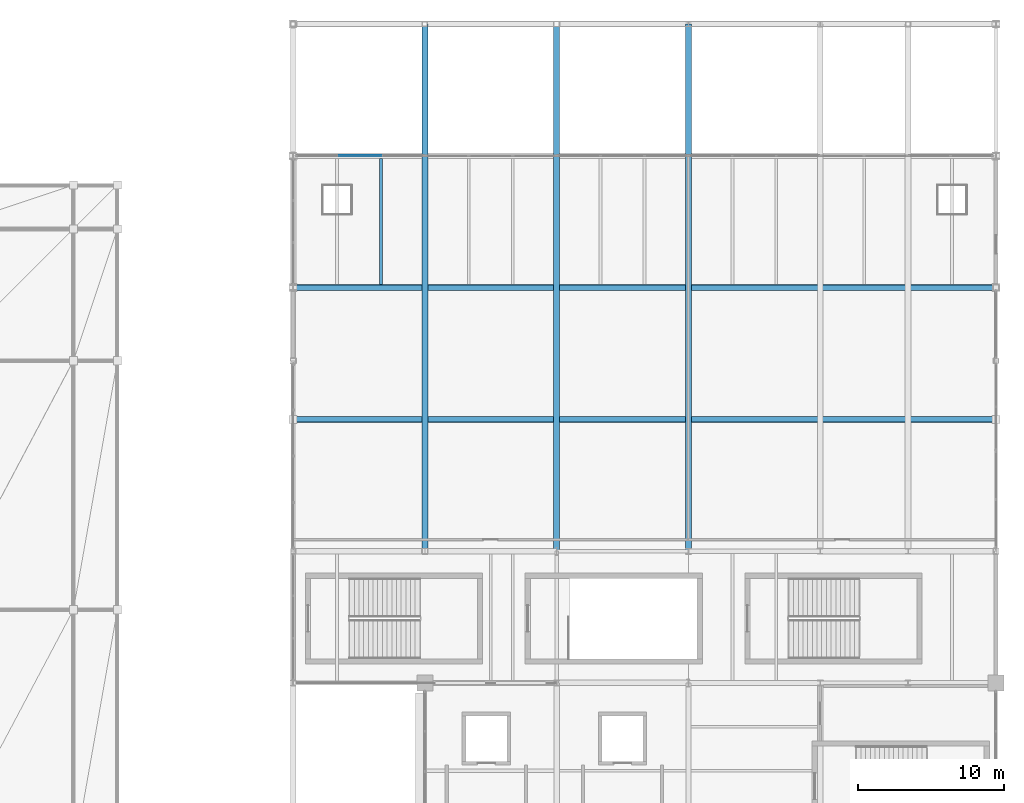
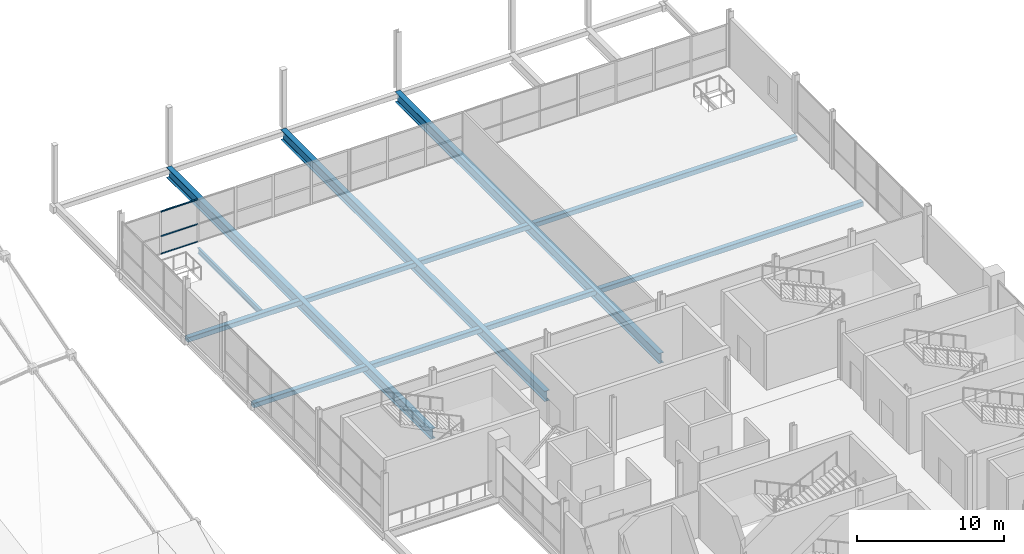
# One storey, part 31 of 69: 6 beams, 3 members, 1 element without a shape of its own.
"""IFC4 building model written with IfcOpenShell, lengths in metres."""

import ifcopenshell
import ifcopenshell.guid

model = None  # the IFC model being written
_history = None  # IfcOwnerHistory: only IFC2X3 demands one
_inside = {}  # id of a spatial element -> (the spatial element, [elements in it])
_under = {}  # id of a project, library or spatial element -> (it, [spatial elements below it])
_declared = {}  # id of a project -> (the project, [libraries it declares])
_typed = {}  # id of a type object -> (the type object, [elements of that type])
_made_of = {}  # id of a material, layer set ... -> (it, [elements and type objects made of it])


def new_model(schema):
    """Start an empty IFC model of exactly this schema.

    Asked for "IFC4X3", IfcOpenShell would pick the latest addendum, in which some entities
    have other attributes; the version numbers below select the first issue.
    IFC2X3 requires an IfcOwnerHistory on every rooted entity: one is made here for all.
    """
    global model, _history
    if schema == "IFC4X3":
        model = ifcopenshell.file(schema_version=(4, 3, 0, 0))
    else:
        model = ifcopenshell.file(schema=schema)
    _inside.clear()
    _under.clear()
    _declared.clear()
    _typed.clear()
    _made_of.clear()
    _history = None
    if model.schema == "IFC2X3":
        org = make("IfcOrganization", Name="unknown")
        user = make(
            "IfcPersonAndOrganization",
            ThePerson=make("IfcPerson", FamilyName="unknown"),
            TheOrganization=org,
        )
        app = make(
            "IfcApplication",
            ApplicationDeveloper=org,
            Version="unknown",
            ApplicationFullName="unknown",
            ApplicationIdentifier="unknown",
        )
        _history = make(
            "IfcOwnerHistory",
            OwningUser=user,
            OwningApplication=app,
            ChangeAction="ADDED",
            CreationDate=0,
        )
    return model


def make(cls, **values):
    """One entity of the class cls with the attributes given. An attribute that is None is left unset."""
    return model.create_entity(
        cls, **{name: value for name, value in values.items() if value is not None}
    )


def rooted(cls, **values):
    """An entity with a GlobalId (a new one), such as an element, a storey or a relation."""
    return make(cls, GlobalId=ifcopenshell.guid.new(), OwnerHistory=_history, **values)


def si_unit(unit_type, name, prefix=None):
    """IfcSIUnit, for example si_unit("LENGTHUNIT", "METRE", prefix="MILLI")."""
    return make("IfcSIUnit", UnitType=unit_type, Prefix=prefix, Name=name)


def assignment(units):
    """IfcUnitAssignment: the units of a project."""
    return None if units is None else make("IfcUnitAssignment", Units=units)


def point(xyz):
    """IfcCartesianPoint."""
    return None if xyz is None else make("IfcCartesianPoint", Coordinates=xyz)


def direction(xyz):
    """IfcDirection."""
    return None if xyz is None else make("IfcDirection", DirectionRatios=xyz)


def frame(location, z_axis=None, x_axis=None):
    """IfcAxis2Placement3D, a coordinate frame: its origin and axes. An axis left out is left unset."""
    return make(
        "IfcAxis2Placement3D",
        Location=point(location),
        Axis=direction(z_axis),
        RefDirection=direction(x_axis),
    )


def frame_2d(location, x_axis=None):
    """IfcAxis2Placement2D, a coordinate frame in the plane: its origin and x axis."""
    return make(
        "IfcAxis2Placement2D", Location=point(location), RefDirection=direction(x_axis)
    )


def origin():
    """The frame at (0, 0, 0) with its axes left unset."""
    return frame((0.0, 0.0, 0.0))


def origin_2d():
    """The frame at (0, 0) in the plane with its x axis left unset."""
    return frame_2d((0.0, 0.0))


def place(relative_to, where):
    """IfcLocalPlacement: puts the frame where relative to a parent placement (None: the world)."""
    return make(
        "IfcLocalPlacement", PlacementRelTo=relative_to, RelativePlacement=where
    )


def context(
    kind, dimensions, precision=None, world=None, true_north=None, identifier=None
):
    """IfcGeometricRepresentationContext, for example the 3D "Model" context."""
    return make(
        "IfcGeometricRepresentationContext",
        ContextIdentifier=identifier,
        ContextType=kind,
        CoordinateSpaceDimension=dimensions,
        Precision=precision,
        WorldCoordinateSystem=world,
        TrueNorth=true_north,
    )


def subcontext(parent, identifier, kind, view, scale=None):
    """IfcGeometricRepresentationSubContext, for example "Body" below "Model"."""
    return make(
        "IfcGeometricRepresentationSubContext",
        ContextIdentifier=identifier,
        ContextType=kind,
        ParentContext=parent,
        TargetScale=scale,
        TargetView=view,
    )


def project(units=None, contexts=None):
    """IfcProject with its units and contexts."""
    return rooted(
        "IfcProject",
        Name="project",
        RepresentationContexts=contexts,
        UnitsInContext=assignment(units),
    )


def spatial(cls, under=None, at=None, **own):
    """A site, building, storey or space (cls), placed at a placement, below another one or the project."""
    s = rooted(cls, ObjectPlacement=at, **own)
    if under is not None:
        _under.setdefault(under.id(), (under, []))[1].append(s)
    return s


def profile(cls, at=None, kind="AREA", **sizes):
    """A parametric profile (cls). Its sizes go by their IFC names, for example OverallWidth=200.0."""
    return make(cls, ProfileType=kind, Position=at, **sizes)


def rectangle(**sizes):
    """IfcRectangleProfileDef."""
    return profile("IfcRectangleProfileDef", **sizes)


def hollow_rectangle(**sizes):
    """IfcRectangleHollowProfileDef."""
    return profile("IfcRectangleHollowProfileDef", **sizes)


def i_section(**sizes):
    """IfcIShapeProfileDef."""
    return profile("IfcIShapeProfileDef", **sizes)


def extrude(swept, where, along, depth):
    """IfcExtrudedAreaSolid: the profile swept, set in the frame where, extruded along a direction by depth."""
    return make(
        "IfcExtrudedAreaSolid",
        SweptArea=swept,
        Position=where,
        ExtrudedDirection=direction(along),
        Depth=depth,
    )


def shape(context_of_items, identifier, shape_type, items):
    """IfcShapeRepresentation: the items that make up one representation, for example the "Body"."""
    return make(
        "IfcShapeRepresentation",
        ContextOfItems=context_of_items,
        RepresentationIdentifier=identifier,
        RepresentationType=shape_type,
        Items=items,
    )


def material(Name=None, Category=None):
    """IfcMaterial."""
    return make("IfcMaterial", Name=Name, Category=Category)


def layer(
    of_material, thickness, ventilated=None, Name=None, Category=None, Priority=None
):
    """IfcMaterialLayer: one layer of a wall or slab, of a material (None: an air gap)."""
    return make(
        "IfcMaterialLayer",
        Material=of_material,
        LayerThickness=thickness,
        IsVentilated=ventilated,
        Name=Name,
        Category=Category,
        Priority=Priority,
    )


def layer_set(layers, Name=None):
    """IfcMaterialLayerSet."""
    return make("IfcMaterialLayerSet", MaterialLayers=layers, LayerSetName=Name)


def material_profile(
    of_material, cross_section, Name=None, Category=None, Priority=None
):
    """IfcMaterialProfile: a cross section and its material."""
    return make(
        "IfcMaterialProfile",
        Name=Name,
        Material=of_material,
        Profile=cross_section,
        Priority=Priority,
        Category=Category,
    )


def profile_set(profiles, Name=None, composite=None):
    """IfcMaterialProfileSet."""
    return make(
        "IfcMaterialProfileSet",
        Name=Name,
        MaterialProfiles=profiles,
        CompositeProfile=composite,
    )


def made_of(thing, what):
    """Note that an element or type object is made of a material, layer set ...; save() writes the relation."""
    if what is not None:
        _made_of.setdefault(what.id(), (what, []))[1].append(thing)
    return thing


def type_object(cls, material=None, **own):
    """A type object (cls), such as IfcWallType, which elements share."""
    return made_of(rooted(cls, **own), material)


def element(
    cls,
    number,
    at=None,
    inside=None,
    cuts=None,
    type_object=None,
    material=None,
    context=None,
    identifier="Body",
    shape_type=None,
    held_by="IfcProductDefinitionShape",
    body=None,
    shapes=None,
    **own,
):
    """One element of the class cls, such as IfcWall. Its Tag is "e" and its number.

    at: its placement. inside: the storey or other place that contains it. cuts: it is an
    opening in that element (IfcRelVoidsElement). A single representation is given by context,
    identifier, shape_type and body (its items); several are given by shapes. held_by: the class
    of the entity that holds the representations. save() writes the other relations.
    """
    e = rooted(cls, Tag="e%d" % number, ObjectPlacement=at, **own)
    if body is not None:
        shapes = [shape(context, identifier, shape_type, body)]
    if shapes is not None:
        e.Representation = make(held_by, Representations=shapes)
    if inside is not None:
        _inside.setdefault(inside.id(), (inside, []))[1].append(e)
    if cuts is not None:
        rooted(
            "IfcRelVoidsElement", RelatingBuildingElement=cuts, RelatedOpeningElement=e
        )
    if type_object is not None:
        _typed.setdefault(type_object.id(), (type_object, []))[1].append(e)
    return made_of(e, material)


def aggregate(whole, parts):
    """IfcRelAggregates: a whole, such as a stair, and the parts it consists of."""
    return rooted("IfcRelAggregates", RelatingObject=whole, RelatedObjects=parts)


def save(model, path):
    """Write the relations noted so far, then the file.

    IfcRelAggregates (storeys below a building ...), IfcRelContainedInSpatialStructure (elements
    in a storey), IfcRelDefinesByType, IfcRelAssociatesMaterial and IfcRelDeclares: one each for
    every whole, place, type object, material and project.
    """
    for whole, parts in _under.values():
        aggregate(whole, parts)
    for where, things in _inside.values():
        rooted(
            "IfcRelContainedInSpatialStructure",
            RelatedElements=things,
            RelatingStructure=where,
        )
    for kind, things in _typed.values():
        rooted("IfcRelDefinesByType", RelatedObjects=things, RelatingType=kind)
    for what, things in _made_of.values():
        rooted("IfcRelAssociatesMaterial", RelatedObjects=things, RelatingMaterial=what)
    for by, libraries in _declared.values():
        rooted("IfcRelDeclares", RelatingContext=by, RelatedDefinitions=libraries)
    model.write(path)


model = new_model("IFC4")

# Units and contexts
model_context = context("Model", 3, precision=1e-05, world=origin(), true_north=direction((0.0, 1.0)))
body_context = subcontext(model_context, "Body", "Model", "MODEL_VIEW")
ifc_project = project(units=[si_unit("LENGTHUNIT", "METRE"), si_unit("AREAUNIT", "SQUARE_METRE"), si_unit("VOLUMEUNIT", "CUBIC_METRE"), si_unit("PLANEANGLEUNIT", "RADIAN"), si_unit("MASSUNIT", "GRAM", prefix="KILO")], contexts=[model_context])

# Site, building, storey
site_placement = place(None, origin())
site = spatial("IfcSite", under=ifc_project, at=site_placement, CompositionType="ELEMENT")
building_placement = place(site_placement, origin())
building = spatial("IfcBuilding", under=site, at=building_placement, Name="Qamarlyn Nura Convention Centre", CompositionType="ELEMENT")
storey_placement = place(building_placement, frame((0.0, 0.0, 15.60009765625)))
storey = spatial("IfcBuildingStorey", under=building, at=storey_placement, Name="L03", CompositionType="ELEMENT", Elevation=15.60009765625)

# Beams
ifc_material_1 = material(Name="Steel ASTM A992", Category="steel")
ifc_material_profile_1 = material_profile(ifc_material_1, i_section(OverallWidth=0.39990234375, OverallDepth=0.85498046875, WebThickness=0.018310546875, FlangeThickness=0.029296875, FilletRadius=0.02197265625, at=origin_2d()), Name="W840X299")
ifc_profile_set_1 = profile_set([ifc_material_profile_1], Name="Steel ASTM A992")
beam_type_1 = type_object("IfcBeamType", Name="BM-GIRD-840", PredefinedType="BEAM", material=ifc_profile_set_1)
for number, where, z_axis, x_axis, name in (
    (1, (153.0, 90.0, -0.627685546875), (0.0, 1.0, 0.0), (-1.0, 0.0, 0.0), "L03 girder 13 L-Q"),
    (2, (162.0, 90.0, -0.627685546875), (0.0, 1.0, 0.0), (-1.0, 0.0, 0.0), "L03 girder 14 L-Q"),
    (3, (171.0, 90.0, -0.627685546875), (0.0, 1.0, 0.0), (-1.0, 0.0, 0.0), "L03 girder 15 L-Q"),
):
    element("IfcBeam", number, at=place(storey_placement, frame(where, z_axis=z_axis, x_axis=x_axis)), inside=storey, type_object=beam_type_1, Name=name, PredefinedType="BEAM", context=body_context, shape_type="SweptSolid", body=[
        extrude(i_section(OverallWidth=0.39990234375, OverallDepth=0.85498046875, WebThickness=0.018310546875, FlangeThickness=0.029296875, FilletRadius=0.02197265625, at=origin_2d()), origin(), (0.0, 0.0, 1.0), 36.0),
    ])
ifc_material_profile_2 = material_profile(ifc_material_1, i_section(OverallWidth=0.18994140625, OverallDepth=0.45703125, WebThickness=0.009033203125, FlangeThickness=0.014404296875, FilletRadius=0.012939453125, at=origin_2d()), Name="W460X74")
ifc_profile_set_2 = profile_set([ifc_material_profile_2], Name="Steel ASTM A992")
beam_type_2 = type_object("IfcBeamType", Name="BM-JOIST-460", PredefinedType="JOIST", material=ifc_profile_set_2)
beam_placement = place(storey_placement, frame((150.0, 108.199951171875, -0.528564453125), z_axis=(0.0, 1.0, 0.0), x_axis=(-1.0, 0.0, 0.0)))
element("IfcBeam", 4, at=beam_placement, inside=storey, type_object=beam_type_2, Name="L03 secondary joist 12-13/N-P-03", PredefinedType="JOIST", context=body_context, shape_type="SweptSolid", body=[
    extrude(i_section(OverallWidth=0.18994140625, OverallDepth=0.45703125, WebThickness=0.009033203125, FlangeThickness=0.014404296875, FilletRadius=0.012939453125, at=origin_2d()), origin(), (0.0, 0.0, 1.0), 8.60009765625),
])
ifc_material_2 = material(Name="Steel ASTM A500 Grade C", Category="steel")
ifc_material_profile_3 = material_profile(ifc_material_2, hollow_rectangle(XDim=0.39990234375, YDim=0.39990234375, WallThickness=0.01611328125, InnerFilletRadius=0.01611328125, OuterFilletRadius=0.031982421875, at=origin_2d()), Name="HSS400X400X16")
ifc_profile_set_3 = profile_set([ifc_material_profile_3], Name="Steel ASTM A500 Grade C")
beam_type_3 = type_object("IfcBeamType", Name="BM-PLEN-TC", PredefinedType="BEAM", material=ifc_profile_set_3)
for number, where, z_axis, x_axis, name in (
    (5, (144.0, 99.0, -0.5), (1.0, 0.0, 0.0), (0.0, 1.0, 0.0), "ROOF TRUSS Plenary chord Y99"),
    (6, (144.0, 108.0, -0.5), (1.0, 0.0, 0.0), (0.0, 1.0, 0.0), "ROOF TRUSS Plenary chord Y108"),
):
    element("IfcBeam", number, at=place(storey_placement, frame(where, z_axis=z_axis, x_axis=x_axis)), inside=storey, type_object=beam_type_3, Name=name, PredefinedType="BEAM", context=body_context, shape_type="SweptSolid", body=[
        extrude(hollow_rectangle(XDim=0.39990234375, YDim=0.39990234375, WallThickness=0.01611328125, InnerFilletRadius=0.01611328125, OuterFilletRadius=0.031982421875, at=origin_2d()), origin(), (0.0, 0.0, 1.0), 48.0),
    ])

# Curtain wall, members
ifc_material_3 = material(Name="Double-silver low-E insulated glass", Category="glass")
ifc_layer = layer(ifc_material_3, 0.179931640625, Name="CW-UNIT-130")
ifc_layer_set = layer_set([ifc_layer], Name="Double-silver low-E insulated glass")
curtain_wall_type = type_object("IfcCurtainWallType", Name="CW-UNIT-130", PredefinedType="NOTDEFINED", material=ifc_layer_set)
curtain_wall_placement = place(storey_placement, origin())
curtain_wall = element("IfcCurtainWall", 7, at=curtain_wall_placement, inside=storey, type_object=curtain_wall_type, Name="L03 unitised curtain wall PLN-N1-1", PredefinedType="NOTDEFINED")
ifc_material_4 = material(Name="Champagne-anodised marine aluminium", Category="aluminium")
ifc_material_profile_4 = material_profile(ifc_material_4, rectangle(XDim=0.06005859375, YDim=0.10009765625, at=origin_2d()), Name="ALU TRANSOM 60x100")
ifc_profile_set_4 = profile_set([ifc_material_profile_4], Name="Champagne-anodised marine aluminium")
member_type = type_object("IfcMemberType", Name="CWT-100", PredefinedType="USERDEFINED", material=ifc_profile_set_4)
member_1_placement = place(storey_placement, frame((147.15478515625, 117.0, 0.02978515625), z_axis=(1.0, 0.0, 0.0), x_axis=(0.0, 1.0, 0.0)))
member_1 = element("IfcMember", 8, at=member_1_placement, type_object=member_type, Name="CW130 transom 2.1", ObjectType="TRANSOM", PredefinedType="USERDEFINED", context=body_context, shape_type="SweptSolid", body=[
    extrude(rectangle(XDim=0.06005859375, YDim=0.10009765625, at=origin_2d()), origin(), (0.0, 0.0, 1.0), 2.87744140625),
])
member_2_placement = place(storey_placement, frame((147.15478515625, 117.0, 1.496826171875), z_axis=(1.0, 0.0, 0.0), x_axis=(0.0, 1.0, 0.0)))
member_2 = element("IfcMember", 9, at=member_2_placement, type_object=member_type, Name="CW130 transom 2.2", ObjectType="TRANSOM", PredefinedType="USERDEFINED", context=body_context, shape_type="SweptSolid", body=[
    extrude(rectangle(XDim=0.06005859375, YDim=0.10009765625, at=origin_2d()), origin(), (0.0, 0.0, 1.0), 2.87744140625),
])
member_3_placement = place(storey_placement, frame((147.15478515625, 117.0, 3.533447265625), z_axis=(1.0, 0.0, 0.0), x_axis=(0.0, 1.0, 0.0)))
member_3 = element("IfcMember", 10, at=member_3_placement, type_object=member_type, Name="CW130 transom 2.3", ObjectType="TRANSOM", PredefinedType="USERDEFINED", context=body_context, shape_type="SweptSolid", body=[
    extrude(rectangle(XDim=0.06005859375, YDim=0.10009765625, at=origin_2d()), origin(), (0.0, 0.0, 1.0), 2.87744140625),
])
aggregate(curtain_wall, [member_1, member_2, member_3])

save(model, "model.ifc")
